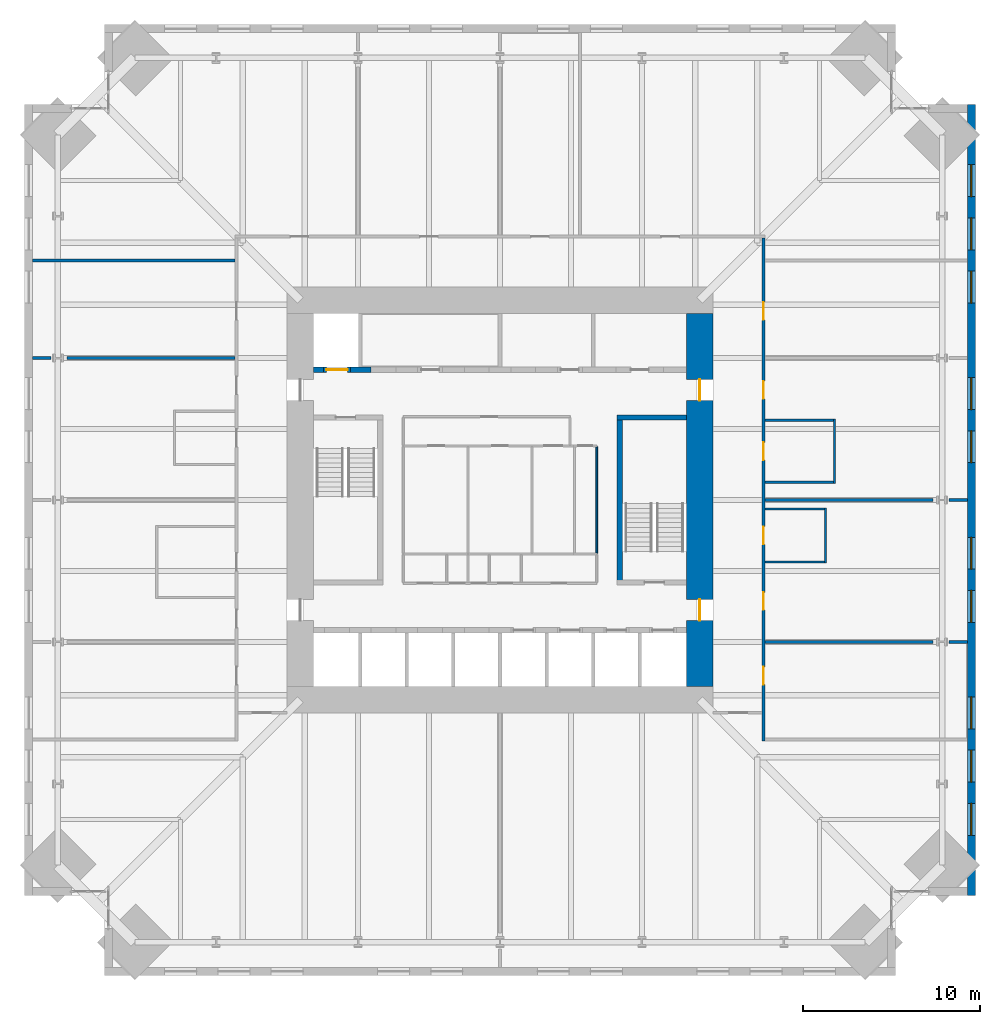
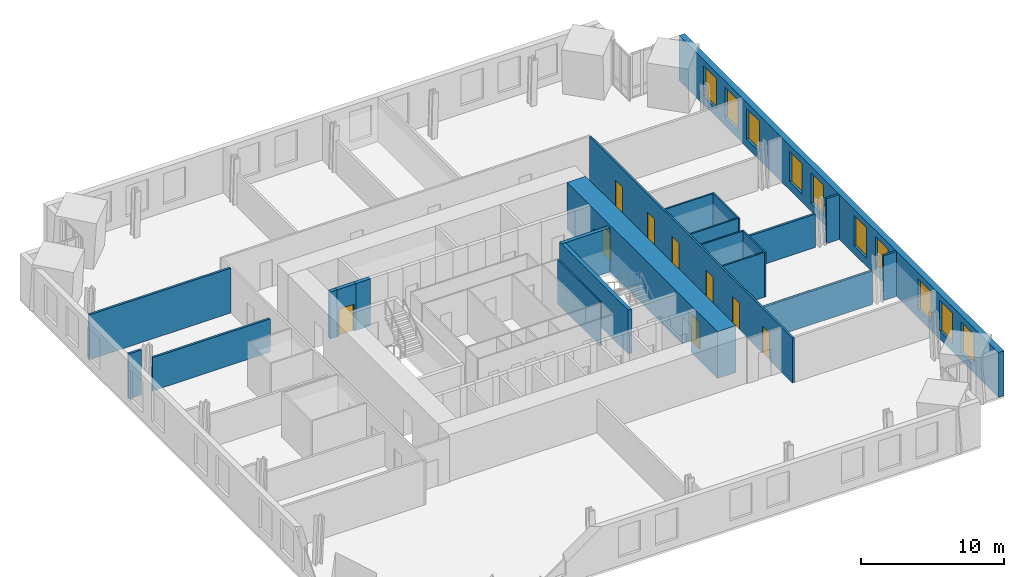
# One storey, part 14 of 17: 22 walls, 10 windows, 9 doors, 19 openings.
"""IFC4 building model written with IfcOpenShell, lengths in metres."""

from ifc_helpers import new_model, si_unit, direction, frame, frame_2d, origin, place, context, subcontext, project, spatial, rectangle, extrude, material, layer, layer_set, type_object, element, fill, save


model = new_model("IFC4")

# Units and contexts
model_context = context("Model", 3, precision=1e-05, world=origin(), true_north=direction((0.0, 1.0)))
body_context = subcontext(model_context, "Body", "Model", "MODEL_VIEW")
ifc_project = project(units=[si_unit("LENGTHUNIT", "METRE"), si_unit("AREAUNIT", "SQUARE_METRE"), si_unit("VOLUMEUNIT", "CUBIC_METRE"), si_unit("PLANEANGLEUNIT", "RADIAN"), si_unit("MASSUNIT", "GRAM", prefix="KILO")], contexts=[model_context])

# Site, building, storey
site_placement = place(None, origin())
site = spatial("IfcSite", under=ifc_project, at=site_placement, CompositionType="ELEMENT")
building_placement = place(site_placement, origin())
building = spatial("IfcBuilding", under=site, at=building_placement, Name="Peilmerk Tower", CompositionType="ELEMENT")
storey_placement = place(building_placement, frame((0.0, 0.0, 147.800048828125)))
storey = spatial("IfcBuildingStorey", under=building, at=storey_placement, Name="L30", CompositionType="ELEMENT", Elevation=147.800048828125)

# Wall, openings, windows
ifc_material_1 = material(Name="Precast concrete C45/55, board-marked finish", Category="concrete")
ifc_layer_1 = layer(ifc_material_1, 0.449951171875)
ifc_layer_set_1 = layer_set([ifc_layer_1], Name="Precast concrete C45/55, board-marked finish")
wall_type_1 = type_object("IfcWallType", Name="EW1 450 precast concrete facade wall, board-marked", PredefinedType="SOLIDWALL", material=ifc_layer_set_1)
wall_1_placement = place(storey_placement, frame((26.574951171875, -22.300048828125, 0.0), z_axis=(0.0, 0.0, 1.0), x_axis=(0.0, 1.0, 0.0)))
wall_1 = element("IfcWall", 1, at=wall_1_placement, inside=storey, type_object=wall_type_1, Name="Facade wall E L30", PredefinedType="SOLIDWALL", context=body_context, shape_type="SweptSolid", body=[
    extrude(rectangle(XDim=44.60009765625, YDim=0.449951171875, at=frame_2d((22.300048828125, 0.0))), origin(), (0.0, 0.0, 1.0), 3.829833984375),
])
opening_1_placement = place(wall_1_placement, frame((3.39990234375, 0.0, 0.699951171875)))
opening_1 = element("IfcOpeningElement", 2, at=opening_1_placement, cuts=wall_1, Name="Opening W1", PredefinedType="OPENING", context=body_context, shape_type="SweptSolid", body=[
    extrude(rectangle(XDim=1.800048828125, YDim=2.60009765625, at=frame_2d((0.89990234375, 1.300048828125))), frame((0.0, 0.23486328125, 0.0), z_axis=(0.0, -1.0, 0.0), x_axis=(1.0, 0.0, 0.0)), (0.0, 0.0, 1.0), 0.469970703125),
])
opening_2_placement = place(wall_1_placement, frame((6.39990234375, 0.0, 0.699951171875)))
opening_2 = element("IfcOpeningElement", 3, at=opening_2_placement, cuts=wall_1, Name="Opening W1", PredefinedType="OPENING", context=body_context, shape_type="SweptSolid", body=[
    extrude(rectangle(XDim=1.800048828125, YDim=2.60009765625, at=frame_2d((0.89990234375, 1.300048828125))), frame((0.0, 0.23486328125, 0.0), z_axis=(0.0, -1.0, 0.0), x_axis=(1.0, 0.0, 0.0)), (0.0, 0.0, 1.0), 0.469970703125),
])
opening_3_placement = place(wall_1_placement, frame((9.39990234375, 0.0, 0.699951171875)))
opening_3 = element("IfcOpeningElement", 4, at=opening_3_placement, cuts=wall_1, Name="Opening W1", PredefinedType="OPENING", context=body_context, shape_type="SweptSolid", body=[
    extrude(rectangle(XDim=1.800048828125, YDim=2.60009765625, at=frame_2d((0.89990234375, 1.300048828125))), frame((0.0, 0.23486328125, 0.0), z_axis=(0.0, -1.0, 0.0), x_axis=(1.0, 0.0, 0.0)), (0.0, 0.0, 1.0), 0.469970703125),
])
opening_4_placement = place(wall_1_placement, frame((15.39990234375, 0.0, 0.699951171875)))
opening_4 = element("IfcOpeningElement", 5, at=opening_4_placement, cuts=wall_1, Name="Opening W1", PredefinedType="OPENING", context=body_context, shape_type="SweptSolid", body=[
    extrude(rectangle(XDim=1.800048828125, YDim=2.60009765625, at=frame_2d((0.89990234375, 1.300048828125))), frame((0.0, 0.23486328125, 0.0), z_axis=(0.0, -1.0, 0.0), x_axis=(1.0, 0.0, 0.0)), (0.0, 0.0, 1.0), 0.469970703125),
])
opening_5_placement = place(wall_1_placement, frame((18.39990234375, 0.0, 0.699951171875)))
opening_5 = element("IfcOpeningElement", 6, at=opening_5_placement, cuts=wall_1, Name="Opening W1", PredefinedType="OPENING", context=body_context, shape_type="SweptSolid", body=[
    extrude(rectangle(XDim=1.800048828125, YDim=2.60009765625, at=frame_2d((0.89990234375, 1.300048828125))), frame((0.0, 0.23486328125, 0.0), z_axis=(0.0, -1.0, 0.0), x_axis=(1.0, 0.0, 0.0)), (0.0, 0.0, 1.0), 0.469970703125),
])
opening_6_placement = place(wall_1_placement, frame((24.39990234375, 0.0, 0.699951171875)))
opening_6 = element("IfcOpeningElement", 7, at=opening_6_placement, cuts=wall_1, Name="Opening W1", PredefinedType="OPENING", context=body_context, shape_type="SweptSolid", body=[
    extrude(rectangle(XDim=1.800048828125, YDim=2.60009765625, at=frame_2d((0.89990234375, 1.300048828125))), frame((0.0, 0.23486328125, 0.0), z_axis=(0.0, -1.0, 0.0), x_axis=(1.0, 0.0, 0.0)), (0.0, 0.0, 1.0), 0.469970703125),
])
opening_7_placement = place(wall_1_placement, frame((27.39990234375, 0.0, 0.699951171875)))
opening_7 = element("IfcOpeningElement", 8, at=opening_7_placement, cuts=wall_1, Name="Opening W1", PredefinedType="OPENING", context=body_context, shape_type="SweptSolid", body=[
    extrude(rectangle(XDim=1.800048828125, YDim=2.60009765625, at=frame_2d((0.89990234375, 1.300048828125))), frame((0.0, 0.23486328125, 0.0), z_axis=(0.0, -1.0, 0.0), x_axis=(1.0, 0.0, 0.0)), (0.0, 0.0, 1.0), 0.469970703125),
])
opening_8_placement = place(wall_1_placement, frame((33.39990234375, 0.0, 0.699951171875)))
opening_8 = element("IfcOpeningElement", 9, at=opening_8_placement, cuts=wall_1, Name="Opening W1", PredefinedType="OPENING", context=body_context, shape_type="SweptSolid", body=[
    extrude(rectangle(XDim=1.800048828125, YDim=2.60009765625, at=frame_2d((0.89990234375, 1.300048828125))), frame((0.0, 0.23486328125, 0.0), z_axis=(0.0, -1.0, 0.0), x_axis=(1.0, 0.0, 0.0)), (0.0, 0.0, 1.0), 0.469970703125),
])
opening_9_placement = place(wall_1_placement, frame((36.39990234375, 0.0, 0.699951171875)))
opening_9 = element("IfcOpeningElement", 10, at=opening_9_placement, cuts=wall_1, Name="Opening W1", PredefinedType="OPENING", context=body_context, shape_type="SweptSolid", body=[
    extrude(rectangle(XDim=1.800048828125, YDim=2.60009765625, at=frame_2d((0.89990234375, 1.300048828125))), frame((0.0, 0.23486328125, 0.0), z_axis=(0.0, -1.0, 0.0), x_axis=(1.0, 0.0, 0.0)), (0.0, 0.0, 1.0), 0.469970703125),
])
opening_10_placement = place(wall_1_placement, frame((39.39990234375, 0.0, 0.699951171875)))
opening_10 = element("IfcOpeningElement", 11, at=opening_10_placement, cuts=wall_1, Name="Opening W1", PredefinedType="OPENING", context=body_context, shape_type="SweptSolid", body=[
    extrude(rectangle(XDim=1.800048828125, YDim=2.60009765625, at=frame_2d((0.89990234375, 1.300048828125))), frame((0.0, 0.23486328125, 0.0), z_axis=(0.0, -1.0, 0.0), x_axis=(1.0, 0.0, 0.0)), (0.0, 0.0, 1.0), 0.469970703125),
])
ifc_material_2 = material(Name="Aluminium frame, clear double glazing", Category="aluminium")
window_type = type_object("IfcWindowType", Name="W1 1800x2600 office window", PartitioningType="SINGLE_PANEL", PredefinedType="WINDOW", material=ifc_material_2)
window_1_placement = place(opening_1_placement, origin())
window_1 = element("IfcWindow", 12, at=window_1_placement, inside=storey, type_object=window_type, Name="Window W1 L30", OverallHeight=2.60009765625, OverallWidth=1.800048828125, PartitioningType="SINGLE_PANEL", PredefinedType="WINDOW", context=body_context, shape_type="SweptSolid", body=[
    extrude(rectangle(XDim=1.800048828125, YDim=2.60009765625, at=frame_2d((0.89990234375, 1.300048828125))), frame((0.0, 0.030029296875, 0.0), z_axis=(0.0, -1.0, 0.0), x_axis=(1.0, 0.0, 0.0)), (0.0, 0.0, 1.0), 0.06005859375),
])
fill(opening_1, window_1)
window_2_placement = place(opening_2_placement, origin())
window_2 = element("IfcWindow", 13, at=window_2_placement, inside=storey, type_object=window_type, Name="Window W1 L30", OverallHeight=2.60009765625, OverallWidth=1.800048828125, PartitioningType="SINGLE_PANEL", PredefinedType="WINDOW", context=body_context, shape_type="SweptSolid", body=[
    extrude(rectangle(XDim=1.800048828125, YDim=2.60009765625, at=frame_2d((0.89990234375, 1.300048828125))), frame((0.0, 0.030029296875, 0.0), z_axis=(0.0, -1.0, 0.0), x_axis=(1.0, 0.0, 0.0)), (0.0, 0.0, 1.0), 0.06005859375),
])
fill(opening_2, window_2)
window_3_placement = place(opening_3_placement, origin())
window_3 = element("IfcWindow", 14, at=window_3_placement, inside=storey, type_object=window_type, Name="Window W1 L30", OverallHeight=2.60009765625, OverallWidth=1.800048828125, PartitioningType="SINGLE_PANEL", PredefinedType="WINDOW", context=body_context, shape_type="SweptSolid", body=[
    extrude(rectangle(XDim=1.800048828125, YDim=2.60009765625, at=frame_2d((0.89990234375, 1.300048828125))), frame((0.0, 0.030029296875, 0.0), z_axis=(0.0, -1.0, 0.0), x_axis=(1.0, 0.0, 0.0)), (0.0, 0.0, 1.0), 0.06005859375),
])
fill(opening_3, window_3)
window_4_placement = place(opening_4_placement, origin())
window_4 = element("IfcWindow", 15, at=window_4_placement, inside=storey, type_object=window_type, Name="Window W1 L30", OverallHeight=2.60009765625, OverallWidth=1.800048828125, PartitioningType="SINGLE_PANEL", PredefinedType="WINDOW", context=body_context, shape_type="SweptSolid", body=[
    extrude(rectangle(XDim=1.800048828125, YDim=2.60009765625, at=frame_2d((0.89990234375, 1.300048828125))), frame((0.0, 0.030029296875, 0.0), z_axis=(0.0, -1.0, 0.0), x_axis=(1.0, 0.0, 0.0)), (0.0, 0.0, 1.0), 0.06005859375),
])
fill(opening_4, window_4)
window_5_placement = place(opening_5_placement, origin())
window_5 = element("IfcWindow", 16, at=window_5_placement, inside=storey, type_object=window_type, Name="Window W1 L30", OverallHeight=2.60009765625, OverallWidth=1.800048828125, PartitioningType="SINGLE_PANEL", PredefinedType="WINDOW", context=body_context, shape_type="SweptSolid", body=[
    extrude(rectangle(XDim=1.800048828125, YDim=2.60009765625, at=frame_2d((0.89990234375, 1.300048828125))), frame((0.0, 0.030029296875, 0.0), z_axis=(0.0, -1.0, 0.0), x_axis=(1.0, 0.0, 0.0)), (0.0, 0.0, 1.0), 0.06005859375),
])
fill(opening_5, window_5)
window_6_placement = place(opening_6_placement, origin())
window_6 = element("IfcWindow", 17, at=window_6_placement, inside=storey, type_object=window_type, Name="Window W1 L30", OverallHeight=2.60009765625, OverallWidth=1.800048828125, PartitioningType="SINGLE_PANEL", PredefinedType="WINDOW", context=body_context, shape_type="SweptSolid", body=[
    extrude(rectangle(XDim=1.800048828125, YDim=2.60009765625, at=frame_2d((0.89990234375, 1.300048828125))), frame((0.0, 0.030029296875, 0.0), z_axis=(0.0, -1.0, 0.0), x_axis=(1.0, 0.0, 0.0)), (0.0, 0.0, 1.0), 0.06005859375),
])
fill(opening_6, window_6)
window_7_placement = place(opening_7_placement, origin())
window_7 = element("IfcWindow", 18, at=window_7_placement, inside=storey, type_object=window_type, Name="Window W1 L30", OverallHeight=2.60009765625, OverallWidth=1.800048828125, PartitioningType="SINGLE_PANEL", PredefinedType="WINDOW", context=body_context, shape_type="SweptSolid", body=[
    extrude(rectangle(XDim=1.800048828125, YDim=2.60009765625, at=frame_2d((0.89990234375, 1.300048828125))), frame((0.0, 0.030029296875, 0.0), z_axis=(0.0, -1.0, 0.0), x_axis=(1.0, 0.0, 0.0)), (0.0, 0.0, 1.0), 0.06005859375),
])
fill(opening_7, window_7)
window_8_placement = place(opening_8_placement, origin())
window_8 = element("IfcWindow", 19, at=window_8_placement, inside=storey, type_object=window_type, Name="Window W1 L30", OverallHeight=2.60009765625, OverallWidth=1.800048828125, PartitioningType="SINGLE_PANEL", PredefinedType="WINDOW", context=body_context, shape_type="SweptSolid", body=[
    extrude(rectangle(XDim=1.800048828125, YDim=2.60009765625, at=frame_2d((0.89990234375, 1.300048828125))), frame((0.0, 0.030029296875, 0.0), z_axis=(0.0, -1.0, 0.0), x_axis=(1.0, 0.0, 0.0)), (0.0, 0.0, 1.0), 0.06005859375),
])
fill(opening_8, window_8)
window_9_placement = place(opening_9_placement, origin())
window_9 = element("IfcWindow", 20, at=window_9_placement, inside=storey, type_object=window_type, Name="Window W1 L30", OverallHeight=2.60009765625, OverallWidth=1.800048828125, PartitioningType="SINGLE_PANEL", PredefinedType="WINDOW", context=body_context, shape_type="SweptSolid", body=[
    extrude(rectangle(XDim=1.800048828125, YDim=2.60009765625, at=frame_2d((0.89990234375, 1.300048828125))), frame((0.0, 0.030029296875, 0.0), z_axis=(0.0, -1.0, 0.0), x_axis=(1.0, 0.0, 0.0)), (0.0, 0.0, 1.0), 0.06005859375),
])
fill(opening_9, window_9)
window_10_placement = place(opening_10_placement, origin())
window_10 = element("IfcWindow", 21, at=window_10_placement, inside=storey, type_object=window_type, Name="Window W1 L30", OverallHeight=2.60009765625, OverallWidth=1.800048828125, PartitioningType="SINGLE_PANEL", PredefinedType="WINDOW", context=body_context, shape_type="SweptSolid", body=[
    extrude(rectangle(XDim=1.800048828125, YDim=2.60009765625, at=frame_2d((0.89990234375, 1.300048828125))), frame((0.0, 0.030029296875, 0.0), z_axis=(0.0, -1.0, 0.0), x_axis=(1.0, 0.0, 0.0)), (0.0, 0.0, 1.0), 0.06005859375),
])
fill(opening_10, window_10)

# Wall, openings, doors
ifc_material_3 = material(Name="Calcium silicate block", Category="masonry")
ifc_layer_2 = layer(ifc_material_3, 0.14990234375)
ifc_layer_set_2 = layer_set([ifc_layer_2], Name="Calcium silicate block")
wall_type_2 = type_object("IfcWallType", Name="IW1 150 corridor partition, EI 60", PredefinedType="PARTITIONING", material=ifc_layer_set_2)
wall_2_placement = place(storey_placement, frame((14.85009765625, -13.574951171875, 0.0), z_axis=(0.0, 0.0, 1.0), x_axis=(0.0, 1.0, 0.0)))
wall_2 = element("IfcWall", 22, at=wall_2_placement, inside=storey, type_object=wall_type_2, Name="Corridor wall E L30", PredefinedType="PARTITIONING", context=body_context, shape_type="SweptSolid", body=[
    extrude(rectangle(XDim=28.349853515625, YDim=0.14990234375, at=frame_2d((14.1748046875, 0.0))), origin(), (0.0, 0.0, 1.0), 3.829833984375),
])
opening_11_placement = place(wall_2_placement, frame((3.175048828125, 0.0, 0.0)))
opening_11 = element("IfcOpeningElement", 23, at=opening_11_placement, cuts=wall_2, Name="Opening D1", PredefinedType="OPENING", context=body_context, shape_type="SweptSolid", body=[
    extrude(rectangle(XDim=1.0, YDim=2.300048828125, at=frame_2d((0.5, 1.14990234375))), frame((0.0, 0.0849609375, 0.0), z_axis=(0.0, -1.0, 0.0), x_axis=(1.0, 0.0, 0.0)), (0.0, 0.0, 1.0), 0.169921875),
])
opening_12_placement = place(wall_2_placement, frame((7.375, 0.0, 0.0)))
opening_12 = element("IfcOpeningElement", 24, at=opening_12_placement, cuts=wall_2, Name="Opening D1", PredefinedType="OPENING", context=body_context, shape_type="SweptSolid", body=[
    extrude(rectangle(XDim=1.0, YDim=2.300048828125, at=frame_2d((0.5, 1.14990234375))), frame((0.0, 0.0849609375, 0.0), z_axis=(0.0, -1.0, 0.0), x_axis=(1.0, 0.0, 0.0)), (0.0, 0.0, 1.0), 0.169921875),
])
opening_13_placement = place(wall_2_placement, frame((19.27490234375, 0.0, 0.0)))
opening_13 = element("IfcOpeningElement", 25, at=opening_13_placement, cuts=wall_2, Name="Opening D1", PredefinedType="OPENING", context=body_context, shape_type="SweptSolid", body=[
    extrude(rectangle(XDim=1.0, YDim=2.300048828125, at=frame_2d((0.5, 1.14990234375))), frame((0.0, 0.0849609375, 0.0), z_axis=(0.0, -1.0, 0.0), x_axis=(1.0, 0.0, 0.0)), (0.0, 0.0, 1.0), 0.169921875),
])
opening_14_placement = place(wall_2_placement, frame((23.72509765625, 0.0, 0.0)))
opening_14 = element("IfcOpeningElement", 26, at=opening_14_placement, cuts=wall_2, Name="Opening D1", PredefinedType="OPENING", context=body_context, shape_type="SweptSolid", body=[
    extrude(rectangle(XDim=1.0, YDim=2.300048828125, at=frame_2d((0.5, 1.14990234375))), frame((0.0, 0.0849609375, 0.0), z_axis=(0.0, -1.0, 0.0), x_axis=(1.0, 0.0, 0.0)), (0.0, 0.0, 1.0), 0.169921875),
])
opening_15_placement = place(wall_2_placement, frame((15.824951171875, 0.0, 0.0)))
opening_15 = element("IfcOpeningElement", 27, at=opening_15_placement, cuts=wall_2, Name="Opening D1", PredefinedType="OPENING", context=body_context, shape_type="SweptSolid", body=[
    extrude(rectangle(XDim=1.0, YDim=2.300048828125, at=frame_2d((0.5, 1.14990234375))), frame((0.0, 0.0849609375, 0.0), z_axis=(0.0, -1.0, 0.0), x_axis=(1.0, 0.0, 0.0)), (0.0, 0.0, 1.0), 0.169921875),
])
opening_16_placement = place(wall_2_placement, frame((11.074951171875, 0.0, 0.0)))
opening_16 = element("IfcOpeningElement", 28, at=opening_16_placement, cuts=wall_2, Name="Opening D1", PredefinedType="OPENING", context=body_context, shape_type="SweptSolid", body=[
    extrude(rectangle(XDim=1.0, YDim=2.300048828125, at=frame_2d((0.5, 1.14990234375))), frame((0.0, 0.0849609375, 0.0), z_axis=(0.0, -1.0, 0.0), x_axis=(1.0, 0.0, 0.0)), (0.0, 0.0, 1.0), 0.169921875),
])
ifc_material_4 = material(Name="Timber door in steel frame", Category="steel")
door_type_1 = type_object("IfcDoorType", Name="D1 1000x2300 room door, EI2 30", OperationType="SINGLE_SWING_LEFT", PredefinedType="DOOR", material=ifc_material_4)
door_1_placement = place(opening_11_placement, frame((1.0, 0.0, 0.0), z_axis=(0.0, 0.0, 1.0), x_axis=(-1.0, 0.0, 0.0)))
door_1 = element("IfcDoor", 29, at=door_1_placement, inside=storey, type_object=door_type_1, Name="Door Project room L30", OperationType="SINGLE_SWING_LEFT", OverallHeight=2.300048828125, OverallWidth=1.0, PredefinedType="DOOR", context=body_context, shape_type="SweptSolid", body=[
    extrude(rectangle(XDim=1.0, YDim=2.300048828125, at=frame_2d((0.5, 1.14990234375))), frame((0.0, 0.02490234375, 0.0), z_axis=(0.0, -1.0, 0.0), x_axis=(1.0, 0.0, 0.0)), (0.0, 0.0, 1.0), 0.050048828125),
])
fill(opening_11, door_1)
door_2_placement = place(opening_12_placement, frame((1.0, 0.0, 0.0), z_axis=(0.0, 0.0, 1.0), x_axis=(-1.0, 0.0, 0.0)))
door_2 = element("IfcDoor", 30, at=door_2_placement, inside=storey, type_object=door_type_1, Name="Door Team workspace L30", OperationType="SINGLE_SWING_LEFT", OverallHeight=2.300048828125, OverallWidth=1.0, PredefinedType="DOOR", context=body_context, shape_type="SweptSolid", body=[
    extrude(rectangle(XDim=1.0, YDim=2.300048828125, at=frame_2d((0.5, 1.14990234375))), frame((0.0, 0.02490234375, 0.0), z_axis=(0.0, -1.0, 0.0), x_axis=(1.0, 0.0, 0.0)), (0.0, 0.0, 1.0), 0.050048828125),
])
fill(opening_12, door_2)
door_3_placement = place(opening_13_placement, frame((1.0, 0.0, 0.0), z_axis=(0.0, 0.0, 1.0), x_axis=(-1.0, 0.0, 0.0)))
door_3 = element("IfcDoor", 31, at=door_3_placement, inside=storey, type_object=door_type_1, Name="Door Team workspace L30", OperationType="SINGLE_SWING_LEFT", OverallHeight=2.300048828125, OverallWidth=1.0, PredefinedType="DOOR", context=body_context, shape_type="SweptSolid", body=[
    extrude(rectangle(XDim=1.0, YDim=2.300048828125, at=frame_2d((0.5, 1.14990234375))), frame((0.0, 0.02490234375, 0.0), z_axis=(0.0, -1.0, 0.0), x_axis=(1.0, 0.0, 0.0)), (0.0, 0.0, 1.0), 0.050048828125),
])
fill(opening_13, door_3)
door_4_placement = place(opening_14_placement, frame((1.0, 0.0, 0.0), z_axis=(0.0, 0.0, 1.0), x_axis=(-1.0, 0.0, 0.0)))
door_4 = element("IfcDoor", 32, at=door_4_placement, inside=storey, type_object=door_type_1, Name="Door Team workspace L30", OperationType="SINGLE_SWING_LEFT", OverallHeight=2.300048828125, OverallWidth=1.0, PredefinedType="DOOR", context=body_context, shape_type="SweptSolid", body=[
    extrude(rectangle(XDim=1.0, YDim=2.300048828125, at=frame_2d((0.5, 1.14990234375))), frame((0.0, 0.02490234375, 0.0), z_axis=(0.0, -1.0, 0.0), x_axis=(1.0, 0.0, 0.0)), (0.0, 0.0, 1.0), 0.050048828125),
])
fill(opening_14, door_4)
door_5_placement = place(opening_15_placement, frame((1.0, 0.0, 0.0), z_axis=(0.0, 0.0, 1.0), x_axis=(-1.0, 0.0, 0.0)))
door_5 = element("IfcDoor", 33, at=door_5_placement, inside=storey, type_object=door_type_1, Name="Door Pantry L30", OperationType="SINGLE_SWING_LEFT", OverallHeight=2.300048828125, OverallWidth=1.0, PredefinedType="DOOR", context=body_context, shape_type="SweptSolid", body=[
    extrude(rectangle(XDim=1.0, YDim=2.300048828125, at=frame_2d((0.5, 1.14990234375))), frame((0.0, 0.02490234375, 0.0), z_axis=(0.0, -1.0, 0.0), x_axis=(1.0, 0.0, 0.0)), (0.0, 0.0, 1.0), 0.050048828125),
])
fill(opening_15, door_5)
door_6_placement = place(opening_16_placement, frame((1.0, 0.0, 0.0), z_axis=(0.0, 0.0, 1.0), x_axis=(-1.0, 0.0, 0.0)))
door_6 = element("IfcDoor", 34, at=door_6_placement, inside=storey, type_object=door_type_1, Name="Door Focus room L30", OperationType="SINGLE_SWING_LEFT", OverallHeight=2.300048828125, OverallWidth=1.0, PredefinedType="DOOR", context=body_context, shape_type="SweptSolid", body=[
    extrude(rectangle(XDim=1.0, YDim=2.300048828125, at=frame_2d((0.5, 1.14990234375))), frame((0.0, 0.02490234375, 0.0), z_axis=(0.0, -1.0, 0.0), x_axis=(1.0, 0.0, 0.0)), (0.0, 0.0, 1.0), 0.050048828125),
])
fill(opening_16, door_6)

# Walls
ifc_material_5 = material(Name="Concrete C35/45", Category="concrete")
ifc_layer_3 = layer(ifc_material_5, 0.300048828125)
ifc_layer_set_3 = layer_set([ifc_layer_3], Name="Concrete C35/45")
wall_type_3 = type_object("IfcWallType", Name="IW3 300 concrete stair enclosure wall, EI 120", PredefinedType="SOLIDWALL", material=ifc_layer_set_3)
wall_3_placement = place(storey_placement, frame((6.75, -4.800048828125, 0.0), z_axis=(0.0, 0.0, 1.0), x_axis=(0.0, 1.0, 0.0)))
element("IfcWall", 35, at=wall_3_placement, inside=storey, type_object=wall_type_3, Name="Stair 2 enclosure L30", PredefinedType="SOLIDWALL", context=body_context, shape_type="SweptSolid", body=[
    extrude(rectangle(XDim=9.60009765625, YDim=0.300048828125, at=frame_2d((4.800048828125, 0.0))), origin(), (0.0, 0.0, 1.0), 3.75),
])
wall_4_placement = place(storey_placement, frame((6.60009765625, 4.64990234375, 0.0), z_axis=(0.0, 0.0, 1.0), x_axis=(1.0, 0.0, 0.0)))
element("IfcWall", 36, at=wall_4_placement, inside=storey, type_object=wall_type_3, Name="Stair 2 enclosure L30", PredefinedType="SOLIDWALL", context=body_context, shape_type="SweptSolid", body=[
    extrude(rectangle(XDim=3.89990234375, YDim=0.300048828125, at=frame_2d((1.949951171875, 0.0))), origin(), (0.0, 0.0, 1.0), 3.75),
])
ifc_material_6 = material(Name="Calcium silicate board on steel studs", Category="steel")
ifc_layer_4 = layer(ifc_material_6, 0.10009765625)
ifc_layer_set_4 = layer_set([ifc_layer_4], Name="Calcium silicate board on steel studs")
wall_type_4 = type_object("IfcWallType", Name="IW5 100 riser enclosure wall, EI 60", PredefinedType="PARTITIONING", material=ifc_layer_set_4)
wall_5_placement = place(storey_placement, frame((5.449951171875, 3.0, 0.0), z_axis=(0.0, 0.0, 1.0), x_axis=(0.0, -1.0, 0.0)))
element("IfcWall", 37, at=wall_5_placement, inside=storey, type_object=wall_type_4, Name="Riser wall L30", PredefinedType="PARTITIONING", context=body_context, shape_type="SweptSolid", body=[
    extrude(rectangle(XDim=6.0, YDim=0.10009765625, at=frame_2d((3.0, 0.0))), origin(), (0.0, 0.0, 1.0), 3.75),
])
ifc_material_7 = material(Name="Plasterboard on steel studs, double boarded with mineral wool", Category="steel")
ifc_layer_5 = layer(ifc_material_7, 0.125)
ifc_layer_set_5 = layer_set([ifc_layer_5], Name="Plasterboard on steel studs, double boarded with mineral wool")
wall_type_5 = type_object("IfcWallType", Name="IW7 125 acoustic partition, EI 30", PredefinedType="PARTITIONING", material=ifc_layer_set_5)
wall_6_placement = place(storey_placement, frame((18.85009765625, 0.9375, 0.0), z_axis=(0.0, 0.0, 1.0), x_axis=(0.0, 1.0, 0.0)))
element("IfcWall", 38, at=wall_6_placement, inside=storey, type_object=wall_type_5, Name="Acoustic partition Pantry L30", PredefinedType="PARTITIONING", context=body_context, shape_type="SweptSolid", body=[
    extrude(rectangle(XDim=3.625, YDim=0.125, at=frame_2d((1.8125, 0.0))), origin(), (0.0, 0.0, 1.0), 3.829833984375),
])
for number, where, z_axis, x_axis, name in (
    (39, (14.925048828125, 1.0, 0.0), (0.0, 0.0, 1.0), (1.0, 0.0, 0.0), "Acoustic partition Pantry L30"),
    (40, (14.925048828125, 4.5, 0.0), (0.0, 0.0, 1.0), (1.0, 0.0, 0.0), "Acoustic partition Pantry L30"),
):
    element("IfcWall", number, at=place(storey_placement, frame(where, z_axis=z_axis, x_axis=x_axis)), inside=storey, type_object=wall_type_5, Name=name, PredefinedType="PARTITIONING", context=body_context, shape_type="SweptSolid", body=[
        extrude(rectangle(XDim=3.862548828125, YDim=0.125, at=frame_2d((1.93115234375, 0.0))), origin(), (0.0, 0.0, 1.0), 3.829833984375),
    ])
wall_7_placement = place(storey_placement, frame((18.35009765625, -3.5625, 0.0), z_axis=(0.0, 0.0, 1.0), x_axis=(0.0, 1.0, 0.0)))
element("IfcWall", 41, at=wall_7_placement, inside=storey, type_object=wall_type_5, Name="Acoustic partition Focus room L30", PredefinedType="PARTITIONING", context=body_context, shape_type="SweptSolid", body=[
    extrude(rectangle(XDim=3.125, YDim=0.125, at=frame_2d((1.5625, 0.0))), origin(), (0.0, 0.0, 1.0), 3.829833984375),
])
for number, where, z_axis, x_axis, name in (
    (42, (14.925048828125, -3.5, 0.0), (0.0, 0.0, 1.0), (1.0, 0.0, 0.0), "Acoustic partition Focus room L30"),
    (43, (14.925048828125, -0.5, 0.0), (0.0, 0.0, 1.0), (1.0, 0.0, 0.0), "Acoustic partition Focus room L30"),
):
    element("IfcWall", number, at=place(storey_placement, frame(where, z_axis=z_axis, x_axis=x_axis)), inside=storey, type_object=wall_type_5, Name=name, PredefinedType="PARTITIONING", context=body_context, shape_type="SweptSolid", body=[
        extrude(rectangle(XDim=3.362548828125, YDim=0.125, at=frame_2d((1.68115234375, 0.0))), origin(), (0.0, 0.0, 1.0), 3.829833984375),
    ])
ifc_layer_6 = layer(ifc_material_3, 0.175048828125)
ifc_layer_set_6 = layer_set([ifc_layer_6], Name="Calcium silicate block")
wall_type_6 = type_object("IfcWallType", Name="IW8 175 tenant separating wall, EI 60", PredefinedType="PARTITIONING", material=ifc_layer_set_6)
wall_8_placement = place(storey_placement, frame((-26.35009765625, 13.5, 0.0), z_axis=(0.0, 0.0, 1.0), x_axis=(1.0, 0.0, 0.0)))
element("IfcWall", 44, at=wall_8_placement, inside=storey, type_object=wall_type_6, Name="Tenant separating wall NW L30", PredefinedType="PARTITIONING", context=body_context, shape_type="SweptSolid", body=[
    extrude(rectangle(XDim=11.425048828125, YDim=0.175048828125, at=frame_2d((5.71240234375, 0.0))), origin(), (0.0, 0.0, 1.0), 3.829833984375),
])
wall_9_placement = place(storey_placement, frame((14.925048828125, -8.0, 0.0), z_axis=(0.0, 0.0, 1.0), x_axis=(1.0, 0.0, 0.0)))
element("IfcWall", 45, at=wall_9_placement, inside=storey, type_object=wall_type_6, Name="Tenant separating wall E1 L30", PredefinedType="PARTITIONING", context=body_context, shape_type="SweptSolid", body=[
    extrude(rectangle(XDim=9.48681640625, YDim=0.175048828125, at=frame_2d((4.743408203125, 0.0))), origin(), (0.0, 0.0, 1.0), 2.83984375),
])
wall_10_placement = place(storey_placement, frame((25.301025390625, -8.0, 0.0), z_axis=(0.0, 0.0, 1.0), x_axis=(1.0, 0.0, 0.0)))
element("IfcWall", 46, at=wall_10_placement, inside=storey, type_object=wall_type_6, Name="Tenant separating wall E1b L30", PredefinedType="PARTITIONING", context=body_context, shape_type="SweptSolid", body=[
    extrude(rectangle(XDim=1.049072265625, YDim=0.175048828125, at=frame_2d((0.5244140625, 0.0))), origin(), (0.0, 0.0, 1.0), 3.829833984375),
])
wall_11_placement = place(storey_placement, frame((14.925048828125, 0.0, 0.0), z_axis=(0.0, 0.0, 1.0), x_axis=(1.0, 0.0, 0.0)))
element("IfcWall", 47, at=wall_11_placement, inside=storey, type_object=wall_type_6, Name="Tenant separating wall E2 L30", PredefinedType="PARTITIONING", context=body_context, shape_type="SweptSolid", body=[
    extrude(rectangle(XDim=9.48681640625, YDim=0.175048828125, at=frame_2d((4.743408203125, 0.0))), origin(), (0.0, 0.0, 1.0), 2.83984375),
])
wall_12_placement = place(storey_placement, frame((25.301025390625, 0.0, 0.0), z_axis=(0.0, 0.0, 1.0), x_axis=(1.0, 0.0, 0.0)))
element("IfcWall", 48, at=wall_12_placement, inside=storey, type_object=wall_type_6, Name="Tenant separating wall E2b L30", PredefinedType="PARTITIONING", context=body_context, shape_type="SweptSolid", body=[
    extrude(rectangle(XDim=1.049072265625, YDim=0.175048828125, at=frame_2d((0.5244140625, 0.0))), origin(), (0.0, 0.0, 1.0), 3.829833984375),
])
wall_13_placement = place(storey_placement, frame((-14.925048828125, 8.0, 0.0), z_axis=(0.0, 0.0, 1.0), x_axis=(-1.0, 0.0, 0.0)))
element("IfcWall", 49, at=wall_13_placement, inside=storey, type_object=wall_type_6, Name="Tenant separating wall W3 L30", PredefinedType="PARTITIONING", context=body_context, shape_type="SweptSolid", body=[
    extrude(rectangle(XDim=9.48681640625, YDim=0.175048828125, at=frame_2d((4.743408203125, 0.0))), origin(), (0.0, 0.0, 1.0), 2.83984375),
])
wall_14_placement = place(storey_placement, frame((-25.301025390625, 8.0, 0.0), z_axis=(0.0, 0.0, 1.0), x_axis=(-1.0, 0.0, 0.0)))
element("IfcWall", 50, at=wall_14_placement, inside=storey, type_object=wall_type_6, Name="Tenant separating wall W3b L30", PredefinedType="PARTITIONING", context=body_context, shape_type="SweptSolid", body=[
    extrude(rectangle(XDim=1.049072265625, YDim=0.175048828125, at=frame_2d((0.5244140625, 0.0))), origin(), (0.0, 0.0, 1.0), 3.829833984375),
])

# Wall, opening, door
ifc_layer_7 = layer(ifc_material_3, 0.300048828125)
ifc_layer_set_7 = layer_set([ifc_layer_7], Name="Calcium silicate block")
wall_type_7 = type_object("IfcWallType", Name="SH2 300 lift landing door panel, EI 120", PredefinedType="PARTITIONING", material=ifc_layer_set_7)
wall_15_placement = place(storey_placement, frame((-9.9375, 7.35009765625, 0.0), z_axis=(0.0, 0.0, 1.0), x_axis=(1.0, 0.0, 0.0)))
wall_15 = element("IfcWall", 51, at=wall_15_placement, inside=storey, type_object=wall_type_7, Name="Lift door panel N FL1 L30", PredefinedType="PARTITIONING", context=body_context, shape_type="SweptSolid", body=[
    extrude(rectangle(XDim=1.5, YDim=0.300048828125, at=frame_2d((0.75, 0.0))), origin(), (0.0, 0.0, 1.0), 4.0),
])
opening_17_placement = place(wall_15_placement, frame((0.14990234375, 0.0, 0.0)))
opening_17 = element("IfcOpeningElement", 52, at=opening_17_placement, cuts=wall_15, Name="Opening LD2", PredefinedType="OPENING", context=body_context, shape_type="SweptSolid", body=[
    extrude(rectangle(XDim=1.199951171875, YDim=2.300048828125, at=frame_2d((0.60009765625, 1.14990234375))), frame((0.0, 0.159912109375, 0.0), z_axis=(0.0, -1.0, 0.0), x_axis=(1.0, 0.0, 0.0)), (0.0, 0.0, 1.0), 0.320068359375),
])
ifc_material_8 = material(Name="Stainless steel landing door", Category="steel")
door_type_2 = type_object("IfcDoorType", Name="LD2 1200x2300 lift landing door, sliding, EI2 60", OperationType="SLIDING_TO_LEFT", PredefinedType="DOOR", material=ifc_material_8)
door_7_placement = place(opening_17_placement, frame((1.199951171875, 0.0, 0.0), z_axis=(0.0, 0.0, 1.0), x_axis=(-1.0, 0.0, 0.0)))
door_7 = element("IfcDoor", 53, at=door_7_placement, inside=storey, type_object=door_type_2, Name="Lift landing door FL1 L30", OperationType="SLIDING_TO_LEFT", OverallHeight=2.300048828125, OverallWidth=1.199951171875, PredefinedType="DOOR", context=body_context, shape_type="SweptSolid", body=[
    extrude(rectangle(XDim=1.199951171875, YDim=2.300048828125, at=frame_2d((0.60009765625, 1.14990234375))), frame((0.0, 0.02490234375, 0.0), z_axis=(0.0, -1.0, 0.0), x_axis=(1.0, 0.0, 0.0)), (0.0, 0.0, 1.0), 0.050048828125),
])
fill(opening_17, door_7)

# Wall, openings, doors
ifc_material_9 = material(Name="Concrete C55/67", Category="concrete")
ifc_layer_8 = layer(ifc_material_9, 1.5)
ifc_layer_set_8 = layer_set([ifc_layer_8], Name="Concrete C55/67")
wall_type_8 = type_object("IfcWallType", Name="SW1 1500 core wall", PredefinedType="SHEAR", material=ifc_layer_set_8)
wall_16_placement = place(storey_placement, frame((11.25, 10.5, 0.0), z_axis=(0.0, 0.0, 1.0), x_axis=(0.0, -1.0, 0.0)))
wall_16 = element("IfcWall", 54, at=wall_16_placement, inside=storey, type_object=wall_type_8, Name="Core wall E L30", PredefinedType="SHEAR", context=body_context, shape_type="SweptSolid", body=[
    extrude(rectangle(XDim=21.0, YDim=1.5, at=frame_2d((10.5, 0.0))), origin(), (0.0, 0.0, 1.0), 4.0),
])
opening_18_placement = place(wall_16_placement, frame((3.699951171875, 0.0, 0.0)))
opening_18 = element("IfcOpeningElement", 55, at=opening_18_placement, cuts=wall_16, Name="Opening D3", PredefinedType="OPENING", context=body_context, shape_type="SweptSolid", body=[
    extrude(rectangle(XDim=1.199951171875, YDim=2.300048828125, at=frame_2d((0.60009765625, 1.14990234375))), frame((0.0, 0.760009765625, 0.0), z_axis=(0.0, -1.0, 0.0), x_axis=(1.0, 0.0, 0.0)), (0.0, 0.0, 1.0), 1.52001953125),
])
opening_19_placement = place(wall_16_placement, frame((16.10009765625, 0.0, 0.0)))
opening_19 = element("IfcOpeningElement", 56, at=opening_19_placement, cuts=wall_16, Name="Opening D3", PredefinedType="OPENING", context=body_context, shape_type="SweptSolid", body=[
    extrude(rectangle(XDim=1.199951171875, YDim=2.300048828125, at=frame_2d((0.60009765625, 1.14990234375))), frame((0.0, 0.760009765625, 0.0), z_axis=(0.0, -1.0, 0.0), x_axis=(1.0, 0.0, 0.0)), (0.0, 0.0, 1.0), 1.52001953125),
])
ifc_material_10 = material(Name="Steel door in steel frame", Category="steel")
door_type_3 = type_object("IfcDoorType", Name="D3 1200x2300 core door, EI2 60", OperationType="SINGLE_SWING_LEFT", PredefinedType="DOOR", material=ifc_material_10)
door_8_placement = place(opening_18_placement, frame((1.199951171875, 0.0, 0.0), z_axis=(0.0, 0.0, 1.0), x_axis=(-1.0, 0.0, 0.0)))
door_8 = element("IfcDoor", 57, at=door_8_placement, inside=storey, type_object=door_type_3, Name="Core door L30", OperationType="SINGLE_SWING_LEFT", OverallHeight=2.300048828125, OverallWidth=1.199951171875, PredefinedType="DOOR", context=body_context, shape_type="SweptSolid", body=[
    extrude(rectangle(XDim=1.199951171875, YDim=2.300048828125, at=frame_2d((0.60009765625, 1.14990234375))), frame((0.0, 0.02490234375, 0.0), z_axis=(0.0, -1.0, 0.0), x_axis=(1.0, 0.0, 0.0)), (0.0, 0.0, 1.0), 0.050048828125),
])
fill(opening_18, door_8)
door_9_placement = place(opening_19_placement, frame((1.199951171875, 0.0, 0.0), z_axis=(0.0, 0.0, 1.0), x_axis=(-1.0, 0.0, 0.0)))
door_9 = element("IfcDoor", 58, at=door_9_placement, inside=storey, type_object=door_type_3, Name="Core door L30", OperationType="SINGLE_SWING_LEFT", OverallHeight=2.300048828125, OverallWidth=1.199951171875, PredefinedType="DOOR", context=body_context, shape_type="SweptSolid", body=[
    extrude(rectangle(XDim=1.199951171875, YDim=2.300048828125, at=frame_2d((0.60009765625, 1.14990234375))), frame((0.0, 0.02490234375, 0.0), z_axis=(0.0, -1.0, 0.0), x_axis=(1.0, 0.0, 0.0)), (0.0, 0.0, 1.0), 0.050048828125),
])
fill(opening_19, door_9)

# Walls
ifc_layer_9 = layer(ifc_material_9, 0.300048828125)
ifc_layer_set_9 = layer_set([ifc_layer_9], Name="Concrete C55/67")
wall_type_9 = type_object("IfcWallType", Name="SW2 300 lift bank pier", PredefinedType="SHEAR", material=ifc_layer_set_9)
wall_17_placement = place(storey_placement, frame((-10.5, 7.35009765625, 0.0), z_axis=(0.0, 0.0, 1.0), x_axis=(1.0, 0.0, 0.0)))
element("IfcWall", 59, at=wall_17_placement, inside=storey, type_object=wall_type_9, Name="Lift bank pier N L30", PredefinedType="SHEAR", context=body_context, shape_type="SweptSolid", body=[
    extrude(rectangle(XDim=0.5625, YDim=0.300048828125, at=frame_2d((0.28125, 0.0))), origin(), (0.0, 0.0, 1.0), 4.0),
])
wall_18_placement = place(storey_placement, frame((-8.4375, 7.35009765625, 0.0), z_axis=(0.0, 0.0, 1.0), x_axis=(1.0, 0.0, 0.0)))
element("IfcWall", 60, at=wall_18_placement, inside=storey, type_object=wall_type_9, Name="Lift bank pier N L30", PredefinedType="SHEAR", context=body_context, shape_type="SweptSolid", body=[
    extrude(rectangle(XDim=1.175048828125, YDim=0.300048828125, at=frame_2d((0.58740234375, 0.0))), origin(), (0.0, 0.0, 1.0), 4.0),
])

save(model, "model.ifc")
